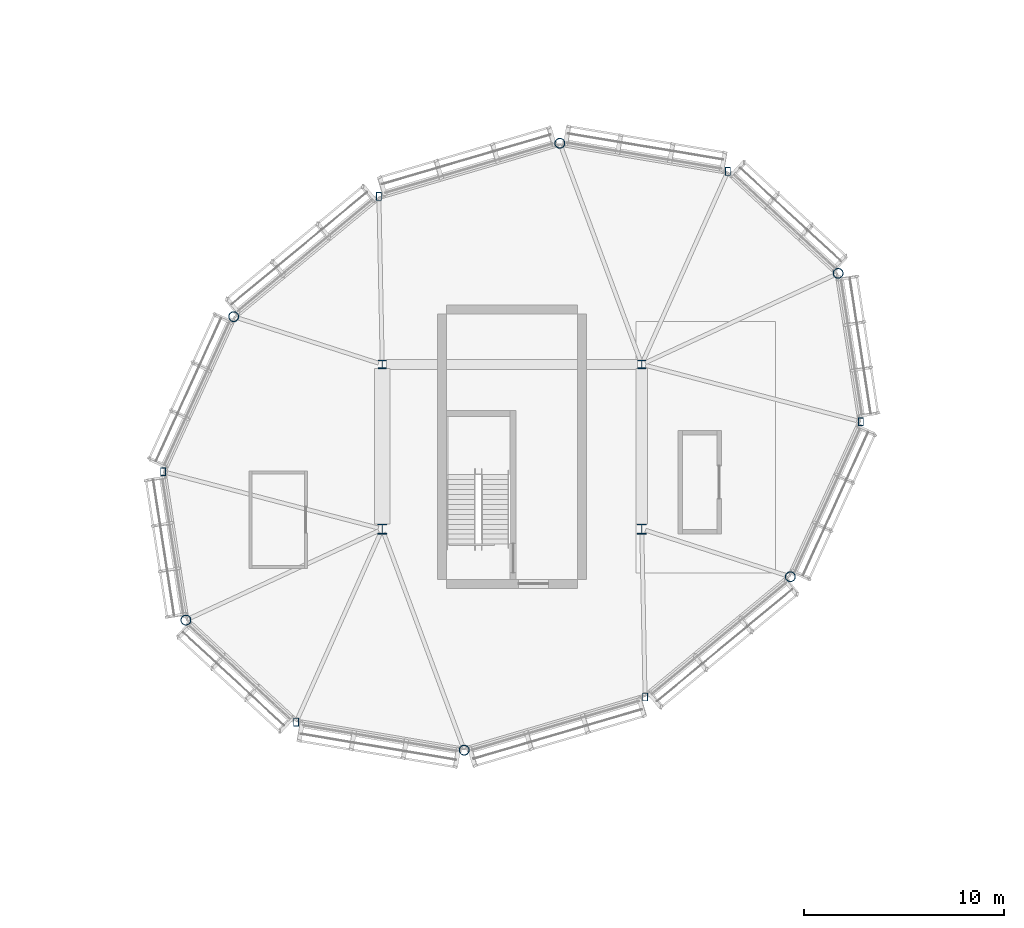
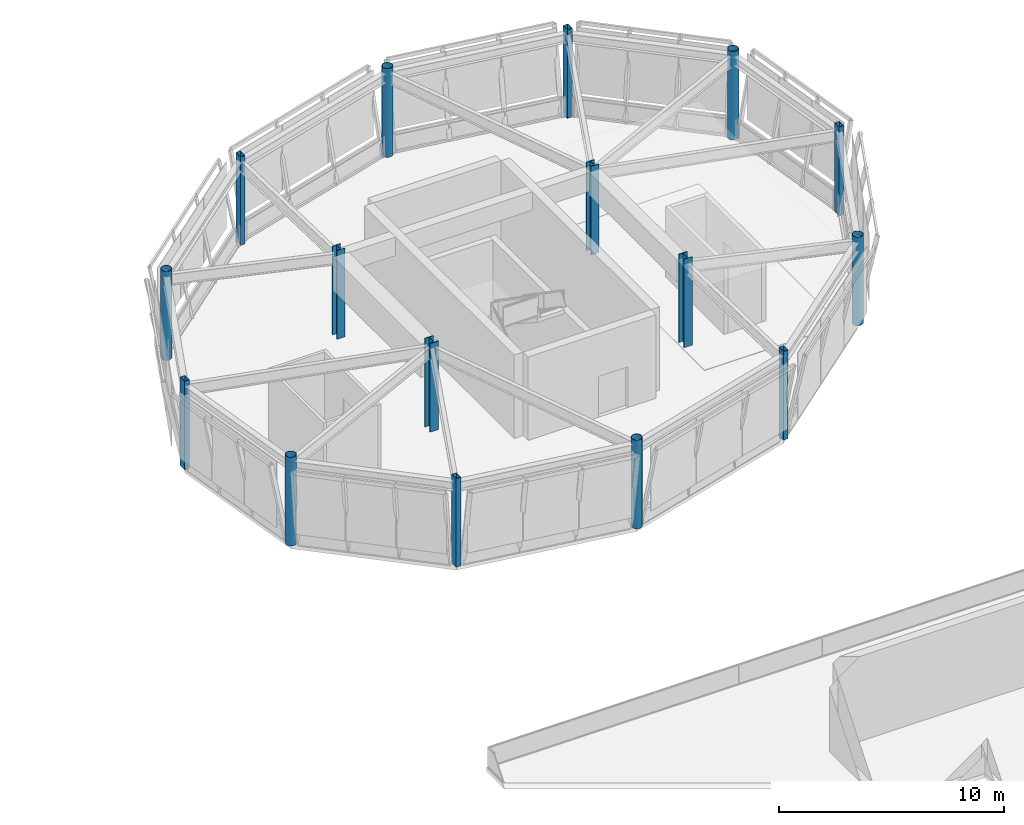
# One storey, part 14 of 94: 16 columns.
"""IFC4 building model written with IfcOpenShell, lengths in metres."""

from ifc_helpers import new_model, si_unit, direction, frame, origin, origin_2d, place, context, subcontext, project, spatial, hollow_rectangle, hollow_circle, i_section, extrude, material, material_profile, profile_set, type_object, element, save


model = new_model("IFC4")

# Units and contexts
model_context = context("Model", 3, precision=1e-05, world=origin(), true_north=direction((0.0, 1.0)))
body_context = subcontext(model_context, "Body", "Model", "MODEL_VIEW")
ifc_project = project(units=[si_unit("LENGTHUNIT", "METRE"), si_unit("AREAUNIT", "SQUARE_METRE"), si_unit("VOLUMEUNIT", "CUBIC_METRE"), si_unit("PLANEANGLEUNIT", "RADIAN"), si_unit("MASSUNIT", "GRAM", prefix="KILO")], contexts=[model_context])

# Site, building, storey
site_placement = place(None, origin())
site = spatial("IfcSite", under=ifc_project, at=site_placement, CompositionType="ELEMENT")
building_placement = place(site_placement, origin())
building = spatial("IfcBuilding", under=site, at=building_placement, Name="Linyun Crest Stadium", CompositionType="ELEMENT")
storey_placement = place(building_placement, frame((0.0, 0.0, 16.199951171875)))
storey = spatial("IfcBuildingStorey", under=building, at=storey_placement, Name="L04", CompositionType="ELEMENT", Elevation=16.199951171875)

# Columns
ifc_material_1 = material(Name="Steel Q355C", Category="steel")
ifc_material_profile_1 = material_profile(ifc_material_1, i_section(OverallWidth=0.406982421875, OverallDepth=0.427978515625, WebThickness=0.02001953125, FlangeThickness=0.034912109375, at=origin_2d()), Name="HW 428x407")
ifc_profile_set_1 = profile_set([ifc_material_profile_1], Name="Steel Q355C")
column_type_1 = type_object("IfcColumnType", Name="SC03", PredefinedType="COLUMN", material=ifc_profile_set_1)
for number, where, z_axis, x_axis, name in (
    (1, (67.0, 88.75, 0.0), (0.0, 0.0, 1.0), (1.0, 0.0, 0.0), "Column SC03 L04 840"),
    (2, (80.0, 88.75, 0.0), (0.0, 0.0, 1.0), (1.0, 0.0, 0.0), "Column SC03 L04 847"),
):
    element("IfcColumn", number, at=place(storey_placement, frame(where, z_axis=z_axis, x_axis=x_axis)), inside=storey, type_object=column_type_1, Name=name, PredefinedType="COLUMN", context=body_context, shape_type="SweptSolid", body=[
        extrude(i_section(OverallWidth=0.406982421875, OverallDepth=0.427978515625, WebThickness=0.02001953125, FlangeThickness=0.034912109375, at=origin_2d()), origin(), (0.0, 0.0, 1.0), 4.798095703125),
    ])
ifc_material_2 = material(Name="Steel Q420C", Category="steel")
ifc_material_profile_2 = material_profile(ifc_material_2, i_section(OverallWidth=0.431884765625, OverallDepth=0.498046875, WebThickness=0.02392578125, FlangeThickness=0.0380859375, at=origin_2d()), Name="HW 498x432")
ifc_profile_set_2 = profile_set([ifc_material_profile_2], Name="Steel Q420C")
column_type_2 = type_object("IfcColumnType", Name="SC04", PredefinedType="COLUMN", material=ifc_profile_set_2)
for number, where, z_axis, x_axis, name in (
    (3, (67.0, 80.5, 0.0), (0.0, 0.0, 1.0), (1.0, 0.0, 0.0), "Column SC04 L04 826"),
    (4, (80.0, 80.5, 0.0), (0.0, 0.0, 1.0), (1.0, 0.0, 0.0), "Column SC04 L04 833"),
):
    element("IfcColumn", number, at=place(storey_placement, frame(where, z_axis=z_axis, x_axis=x_axis)), inside=storey, type_object=column_type_2, Name=name, PredefinedType="COLUMN", context=body_context, shape_type="SweptSolid", body=[
        extrude(i_section(OverallWidth=0.431884765625, OverallDepth=0.498046875, WebThickness=0.02392578125, FlangeThickness=0.0380859375, at=origin_2d()), origin(), (0.0, 0.0, 1.0), 4.798095703125),
    ])
ifc_material_3 = material(Name="Steel Q355C", Category="steel")
ifc_material_profile_3 = material_profile(ifc_material_3, hollow_circle(Radius=0.25390625, WallThickness=0.02490234375, at=origin_2d()), Name="CHS 508x25")
ifc_profile_set_3 = profile_set([ifc_material_profile_3], Name="Steel Q355C")
column_type_3 = type_object("IfcColumnType", Name="SC05", PredefinedType="COLUMN", material=ifc_profile_set_3)
for number, where, z_axis, x_axis, name in (
    (5, (89.8349609375, 93.31005859375, 0.0), (0.0, 0.0, 1.0), (1.0, 0.0, 0.0), "Pod perimeter column SC05 L04 995"),
    (6, (75.89404296875, 99.825927734375, 0.0), (0.0, 0.0, 1.0), (1.0, 0.0, 0.0), "Pod perimeter column SC05 L04 1003"),
    (7, (59.55908203125, 91.139892578125, 0.0), (0.0, 0.0, 1.0), (1.0, 0.0, 0.0), "Pod perimeter column SC05 L04 1011"),
    (8, (57.1650390625, 75.93994140625, 0.0), (0.0, 0.0, 1.0), (1.0, 0.0, 0.0), "Pod perimeter column SC05 L04 1019"),
    (9, (71.10595703125, 69.424072265625, 0.0), (0.0, 0.0, 1.0), (1.0, 0.0, 0.0), "Pod perimeter column SC05 L04 1027"),
    (10, (87.44091796875, 78.110107421875, 0.0), (0.0, 0.0, 1.0), (1.0, 0.0, 0.0), "Pod perimeter column SC05 L04 1035"),
):
    element("IfcColumn", number, at=place(storey_placement, frame(where, z_axis=z_axis, x_axis=x_axis)), inside=storey, type_object=column_type_3, Name=name, PredefinedType="COLUMN", context=body_context, shape_type="SweptSolid", body=[
        extrude(hollow_circle(Radius=0.25390625, WallThickness=0.02490234375, at=origin_2d()), origin(), (0.0, 0.0, 1.0), 4.798095703125),
    ])
ifc_material_4 = material(Name="Steel Q355C", Category="steel")
ifc_material_profile_4 = material_profile(ifc_material_4, hollow_rectangle(XDim=0.25, YDim=0.39990234375, WallThickness=0.01611328125, at=origin_2d()), Name="RHS 400x250x16")
ifc_profile_set_4 = profile_set([ifc_material_profile_4], Name="Steel Q355C")
column_type_4 = type_object("IfcColumnType", Name="SC06", PredefinedType="COLUMN", material=ifc_profile_set_4)
for number, where, z_axis, x_axis, name in (
    (11, (84.31298828125, 98.416015625, 0.0), (0.0, 0.0, 1.0), (1.0, 0.0, 0.0), "Pod perimeter column SC06 L04 999"),
    (12, (66.833984375, 97.1630859375, 0.0), (0.0, 0.0, 1.0), (1.0, 0.0, 0.0), "Pod perimeter column SC06 L04 1007"),
    (13, (56.02099609375, 83.3720703125, 0.0), (0.0, 0.0, 1.0), (1.0, 0.0, 0.0), "Pod perimeter column SC06 L04 1015"),
    (14, (62.68701171875, 70.833984375, 0.0), (0.0, 0.0, 1.0), (1.0, 0.0, 0.0), "Pod perimeter column SC06 L04 1023"),
    (15, (80.166015625, 72.0869140625, 0.0), (0.0, 0.0, 1.0), (1.0, 0.0, 0.0), "Pod perimeter column SC06 L04 1031"),
    (16, (90.97900390625, 85.8779296875, 0.0), (0.0, 0.0, 1.0), (1.0, 0.0, 0.0), "Pod perimeter column SC06 L04 1039"),
):
    element("IfcColumn", number, at=place(storey_placement, frame(where, z_axis=z_axis, x_axis=x_axis)), inside=storey, type_object=column_type_4, Name=name, PredefinedType="COLUMN", context=body_context, shape_type="SweptSolid", body=[
        extrude(hollow_rectangle(XDim=0.25, YDim=0.39990234375, WallThickness=0.01611328125, at=origin_2d()), origin(), (0.0, 0.0, 1.0), 4.798095703125),
    ])

save(model, "model.ifc")
